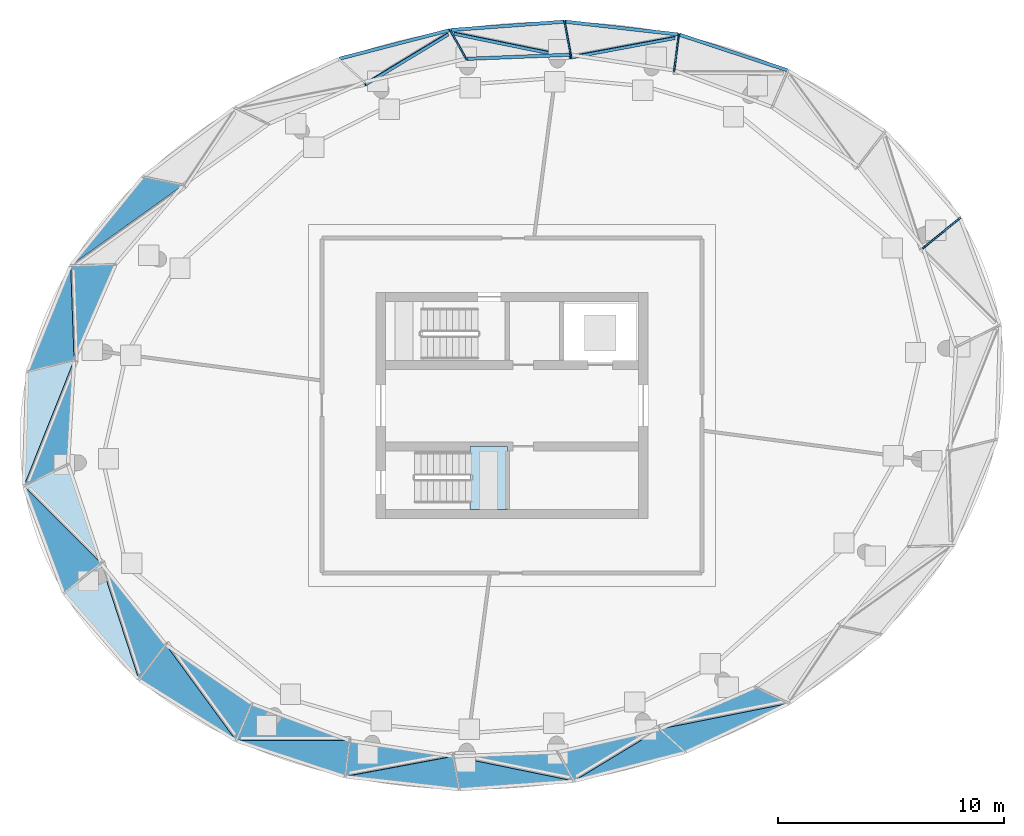
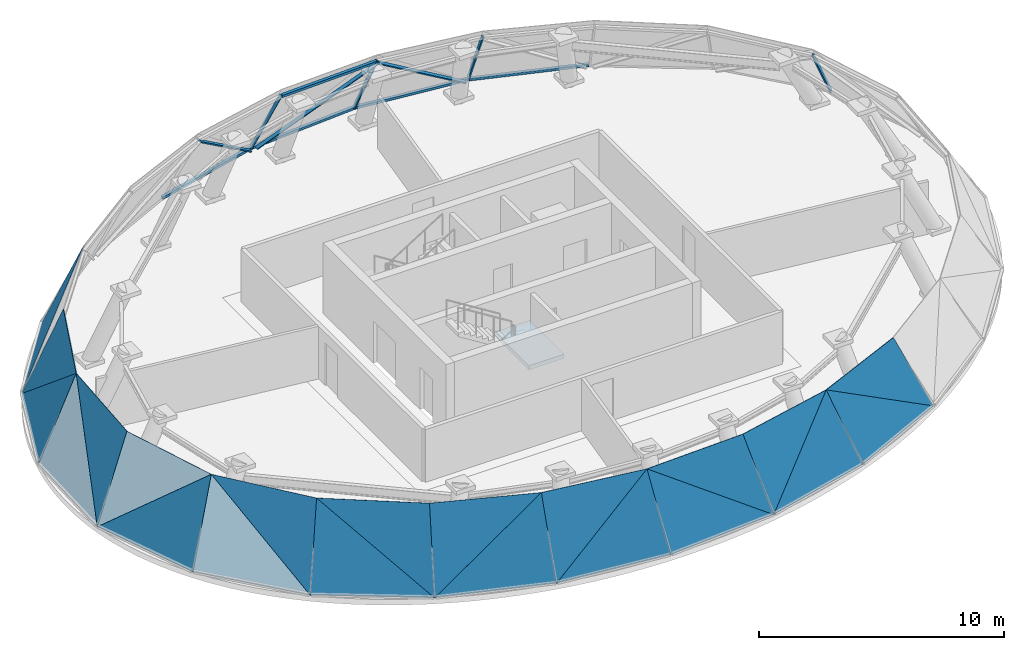
# One storey, part 4 of 9: 21 plates, 12 members, 1 slab, 30 elements without a shape of their own.
"""IFC4 building model written with IfcOpenShell, lengths in metres."""

import ifcopenshell
import ifcopenshell.guid

model = None  # the IFC model being written
_history = None  # IfcOwnerHistory: only IFC2X3 demands one
_inside = {}  # id of a spatial element -> (the spatial element, [elements in it])
_under = {}  # id of a project, library or spatial element -> (it, [spatial elements below it])
_declared = {}  # id of a project -> (the project, [libraries it declares])
_typed = {}  # id of a type object -> (the type object, [elements of that type])
_made_of = {}  # id of a material, layer set ... -> (it, [elements and type objects made of it])


def new_model(schema):
    """Start an empty IFC model of exactly this schema.

    Asked for "IFC4X3", IfcOpenShell would pick the latest addendum, in which some entities
    have other attributes; the version numbers below select the first issue.
    IFC2X3 requires an IfcOwnerHistory on every rooted entity: one is made here for all.
    """
    global model, _history
    if schema == "IFC4X3":
        model = ifcopenshell.file(schema_version=(4, 3, 0, 0))
    else:
        model = ifcopenshell.file(schema=schema)
    _inside.clear()
    _under.clear()
    _declared.clear()
    _typed.clear()
    _made_of.clear()
    _history = None
    if model.schema == "IFC2X3":
        org = make("IfcOrganization", Name="unknown")
        user = make(
            "IfcPersonAndOrganization",
            ThePerson=make("IfcPerson", FamilyName="unknown"),
            TheOrganization=org,
        )
        app = make(
            "IfcApplication",
            ApplicationDeveloper=org,
            Version="unknown",
            ApplicationFullName="unknown",
            ApplicationIdentifier="unknown",
        )
        _history = make(
            "IfcOwnerHistory",
            OwningUser=user,
            OwningApplication=app,
            ChangeAction="ADDED",
            CreationDate=0,
        )
    return model


def make(cls, **values):
    """One entity of the class cls with the attributes given. An attribute that is None is left unset."""
    return model.create_entity(
        cls, **{name: value for name, value in values.items() if value is not None}
    )


def rooted(cls, **values):
    """An entity with a GlobalId (a new one), such as an element, a storey or a relation."""
    return make(cls, GlobalId=ifcopenshell.guid.new(), OwnerHistory=_history, **values)


def si_unit(unit_type, name, prefix=None):
    """IfcSIUnit, for example si_unit("LENGTHUNIT", "METRE", prefix="MILLI")."""
    return make("IfcSIUnit", UnitType=unit_type, Prefix=prefix, Name=name)


def assignment(units):
    """IfcUnitAssignment: the units of a project."""
    return None if units is None else make("IfcUnitAssignment", Units=units)


def point(xyz):
    """IfcCartesianPoint."""
    return None if xyz is None else make("IfcCartesianPoint", Coordinates=xyz)


def direction(xyz):
    """IfcDirection."""
    return None if xyz is None else make("IfcDirection", DirectionRatios=xyz)


def frame(location, z_axis=None, x_axis=None):
    """IfcAxis2Placement3D, a coordinate frame: its origin and axes. An axis left out is left unset."""
    return make(
        "IfcAxis2Placement3D",
        Location=point(location),
        Axis=direction(z_axis),
        RefDirection=direction(x_axis),
    )


def frame_2d(location, x_axis=None):
    """IfcAxis2Placement2D, a coordinate frame in the plane: its origin and x axis."""
    return make(
        "IfcAxis2Placement2D", Location=point(location), RefDirection=direction(x_axis)
    )


def origin():
    """The frame at (0, 0, 0) with its axes left unset."""
    return frame((0.0, 0.0, 0.0))


def origin_2d():
    """The frame at (0, 0) in the plane with its x axis left unset."""
    return frame_2d((0.0, 0.0))


def place(relative_to, where):
    """IfcLocalPlacement: puts the frame where relative to a parent placement (None: the world)."""
    return make(
        "IfcLocalPlacement", PlacementRelTo=relative_to, RelativePlacement=where
    )


def context(
    kind, dimensions, precision=None, world=None, true_north=None, identifier=None
):
    """IfcGeometricRepresentationContext, for example the 3D "Model" context."""
    return make(
        "IfcGeometricRepresentationContext",
        ContextIdentifier=identifier,
        ContextType=kind,
        CoordinateSpaceDimension=dimensions,
        Precision=precision,
        WorldCoordinateSystem=world,
        TrueNorth=true_north,
    )


def subcontext(parent, identifier, kind, view, scale=None):
    """IfcGeometricRepresentationSubContext, for example "Body" below "Model"."""
    return make(
        "IfcGeometricRepresentationSubContext",
        ContextIdentifier=identifier,
        ContextType=kind,
        ParentContext=parent,
        TargetScale=scale,
        TargetView=view,
    )


def project(units=None, contexts=None):
    """IfcProject with its units and contexts."""
    return rooted(
        "IfcProject",
        Name="project",
        RepresentationContexts=contexts,
        UnitsInContext=assignment(units),
    )


def spatial(cls, under=None, at=None, **own):
    """A site, building, storey or space (cls), placed at a placement, below another one or the project."""
    s = rooted(cls, ObjectPlacement=at, **own)
    if under is not None:
        _under.setdefault(under.id(), (under, []))[1].append(s)
    return s


def point_list(points):
    """IfcCartesianPointList2D or 3D."""
    cls = (
        "IfcCartesianPointList2D" if len(points[0]) == 2 else "IfcCartesianPointList3D"
    )
    return make(cls, CoordList=points)


def line(*indices):
    """IfcLineIndex: a straight run through numbered points of an indexed curve."""
    return model.create_entity("IfcLineIndex", indices)


def indexed_curve(points, segments=None, self_intersect=None):
    """IfcIndexedPolyCurve: lines and arcs through numbered points (the first is 1)."""
    return make(
        "IfcIndexedPolyCurve",
        Points=point_list(points),
        Segments=segments,
        SelfIntersect=self_intersect,
    )


def profile(cls, at=None, kind="AREA", **sizes):
    """A parametric profile (cls). Its sizes go by their IFC names, for example OverallWidth=200.0."""
    return make(cls, ProfileType=kind, Position=at, **sizes)


def rectangle(**sizes):
    """IfcRectangleProfileDef."""
    return profile("IfcRectangleProfileDef", **sizes)


def outline(outer, holes=None, kind="AREA"):
    """IfcArbitraryClosedProfileDef: a profile drawn as a closed curve; with holes, ...WithVoids."""
    if holes is None:
        return make("IfcArbitraryClosedProfileDef", ProfileType=kind, OuterCurve=outer)
    return make(
        "IfcArbitraryProfileDefWithVoids",
        ProfileType=kind,
        OuterCurve=outer,
        InnerCurves=holes,
    )


def extrude(swept, where, along, depth):
    """IfcExtrudedAreaSolid: the profile swept, set in the frame where, extruded along a direction by depth."""
    return make(
        "IfcExtrudedAreaSolid",
        SweptArea=swept,
        Position=where,
        ExtrudedDirection=direction(along),
        Depth=depth,
    )


def shape(context_of_items, identifier, shape_type, items):
    """IfcShapeRepresentation: the items that make up one representation, for example the "Body"."""
    return make(
        "IfcShapeRepresentation",
        ContextOfItems=context_of_items,
        RepresentationIdentifier=identifier,
        RepresentationType=shape_type,
        Items=items,
    )


def source(mapping_origin, context_of_items, identifier, shape_type, items):
    """IfcRepresentationMap: a shape defined once, which mapped items show again and again."""
    return make(
        "IfcRepresentationMap",
        MappingOrigin=mapping_origin,
        MappedRepresentation=shape(context_of_items, identifier, shape_type, items),
    )


def transform(
    local_origin,
    x_axis=None,
    y_axis=None,
    z_axis=None,
    scale=None,
    scale2=None,
    scale3=None,
    uniform=True,
):
    """IfcCartesianTransformationOperator3D, or its non-uniform kind. x_axis, y_axis, z_axis: its Axis1, 2, 3."""
    if uniform:
        return make(
            "IfcCartesianTransformationOperator3D",
            Axis1=direction(x_axis),
            Axis2=direction(y_axis),
            LocalOrigin=point(local_origin),
            Scale=scale,
            Axis3=direction(z_axis),
        )
    return make(
        "IfcCartesianTransformationOperator3DnonUniform",
        Axis1=direction(x_axis),
        Axis2=direction(y_axis),
        LocalOrigin=point(local_origin),
        Scale=scale,
        Axis3=direction(z_axis),
        Scale2=scale2,
        Scale3=scale3,
    )


def mapped(mapping_source, mapping_target):
    """IfcMappedItem: shows the shape of a source again, moved by a transform."""
    return make(
        "IfcMappedItem", MappingSource=mapping_source, MappingTarget=mapping_target
    )


def material(Name=None, Category=None):
    """IfcMaterial."""
    return make("IfcMaterial", Name=Name, Category=Category)


def layer(
    of_material, thickness, ventilated=None, Name=None, Category=None, Priority=None
):
    """IfcMaterialLayer: one layer of a wall or slab, of a material (None: an air gap)."""
    return make(
        "IfcMaterialLayer",
        Material=of_material,
        LayerThickness=thickness,
        IsVentilated=ventilated,
        Name=Name,
        Category=Category,
        Priority=Priority,
    )


def layer_set(layers, Name=None):
    """IfcMaterialLayerSet."""
    return make("IfcMaterialLayerSet", MaterialLayers=layers, LayerSetName=Name)


def material_profile(
    of_material, cross_section, Name=None, Category=None, Priority=None
):
    """IfcMaterialProfile: a cross section and its material."""
    return make(
        "IfcMaterialProfile",
        Name=Name,
        Material=of_material,
        Profile=cross_section,
        Priority=Priority,
        Category=Category,
    )


def profile_set(profiles, Name=None, composite=None):
    """IfcMaterialProfileSet."""
    return make(
        "IfcMaterialProfileSet",
        Name=Name,
        MaterialProfiles=profiles,
        CompositeProfile=composite,
    )


def made_of(thing, what):
    """Note that an element or type object is made of a material, layer set ...; save() writes the relation."""
    if what is not None:
        _made_of.setdefault(what.id(), (what, []))[1].append(thing)
    return thing


def type_object(cls, material=None, **own):
    """A type object (cls), such as IfcWallType, which elements share."""
    return made_of(rooted(cls, **own), material)


def element(
    cls,
    number,
    at=None,
    inside=None,
    cuts=None,
    type_object=None,
    material=None,
    context=None,
    identifier="Body",
    shape_type=None,
    held_by="IfcProductDefinitionShape",
    body=None,
    shapes=None,
    **own,
):
    """One element of the class cls, such as IfcWall. Its Tag is "e" and its number.

    at: its placement. inside: the storey or other place that contains it. cuts: it is an
    opening in that element (IfcRelVoidsElement). A single representation is given by context,
    identifier, shape_type and body (its items); several are given by shapes. held_by: the class
    of the entity that holds the representations. save() writes the other relations.
    """
    e = rooted(cls, Tag="e%d" % number, ObjectPlacement=at, **own)
    if body is not None:
        shapes = [shape(context, identifier, shape_type, body)]
    if shapes is not None:
        e.Representation = make(held_by, Representations=shapes)
    if inside is not None:
        _inside.setdefault(inside.id(), (inside, []))[1].append(e)
    if cuts is not None:
        rooted(
            "IfcRelVoidsElement", RelatingBuildingElement=cuts, RelatedOpeningElement=e
        )
    if type_object is not None:
        _typed.setdefault(type_object.id(), (type_object, []))[1].append(e)
    return made_of(e, material)


def aggregate(whole, parts):
    """IfcRelAggregates: a whole, such as a stair, and the parts it consists of."""
    return rooted("IfcRelAggregates", RelatingObject=whole, RelatedObjects=parts)


def save(model, path):
    """Write the relations noted so far, then the file.

    IfcRelAggregates (storeys below a building ...), IfcRelContainedInSpatialStructure (elements
    in a storey), IfcRelDefinesByType, IfcRelAssociatesMaterial and IfcRelDeclares: one each for
    every whole, place, type object, material and project.
    """
    for whole, parts in _under.values():
        aggregate(whole, parts)
    for where, things in _inside.values():
        rooted(
            "IfcRelContainedInSpatialStructure",
            RelatedElements=things,
            RelatingStructure=where,
        )
    for kind, things in _typed.values():
        rooted("IfcRelDefinesByType", RelatedObjects=things, RelatingType=kind)
    for what, things in _made_of.values():
        rooted("IfcRelAssociatesMaterial", RelatedObjects=things, RelatingMaterial=what)
    for by, libraries in _declared.values():
        rooted("IfcRelDeclares", RelatingContext=by, RelatedDefinitions=libraries)
    model.write(path)


model = new_model("IFC4")

# Units and contexts
model_context = context("Model", 3, precision=1e-05, world=origin(), true_north=direction((0.0, 1.0)))
body_context = subcontext(model_context, "Body", "Model", "MODEL_VIEW")
ifc_project = project(units=[si_unit("LENGTHUNIT", "METRE"), si_unit("AREAUNIT", "SQUARE_METRE"), si_unit("VOLUMEUNIT", "CUBIC_METRE"), si_unit("PLANEANGLEUNIT", "RADIAN"), si_unit("MASSUNIT", "GRAM", prefix="KILO")], contexts=[model_context])

# Site, building, storey
site_placement = place(None, origin())
site = spatial("IfcSite", under=ifc_project, at=site_placement, CompositionType="ELEMENT")
building_placement = place(site_placement, origin())
building = spatial("IfcBuilding", under=site, at=building_placement, Name="Spindrift Exchange Tower", CompositionType="ELEMENT")
storey_placement = place(building_placement, frame((0.0, 0.0, 269.60009765625)))
storey = spatial("IfcBuildingStorey", under=building, at=storey_placement, Name="L66", CompositionType="ELEMENT", Elevation=269.60009765625)

# Curtain wall, member
ifc_material_1 = material(Name="Fritted laminated glass with bronze frame", Category="glass")
ifc_layer_1 = layer(ifc_material_1, 0.14990234375)
ifc_layer_set_1 = layer_set([ifc_layer_1], Name="CROWN BRONZE RAKED GLAZED WALL")
curtain_wall_type = type_object("IfcCurtainWallType", Name="CROWN BRONZE RAKED GLAZED WALL", PredefinedType="NOTDEFINED", material=ifc_layer_set_1)
curtain_wall_1_placement = place(storey_placement, origin())
curtain_wall_1 = element("IfcCurtainWall", 1, at=curtain_wall_1_placement, inside=storey, type_object=curtain_wall_type, Name="L66 Crown Bronze Raked Glazed Wall facet 3", PredefinedType="NOTDEFINED")
ifc_material_2 = material(Name="Bronze anodised aluminium", Category="aluminium")
ifc_material_profile_1 = material_profile(ifc_material_2, rectangle(XDim=0.070068359375, YDim=0.14990234375, at=origin_2d()), Name="CROWN BRONZE RAKED GLAZED WALL MULLION 70X150")
ifc_profile_set_1 = profile_set([ifc_material_profile_1], Name="Bronze anodised aluminium")
member_type_1 = type_object("IfcMemberType", Name="CROWN BRONZE RAKED GLAZED WALL MULLION 70X150", PredefinedType="MULLION", material=ifc_profile_set_1)
shared_shape_1 = source(origin(), body_context, "Body", "SweptSolid", [
    extrude(rectangle(XDim=0.070068359375, YDim=0.14990234375, at=origin_2d()), origin(), (0.0, 0.0, 1.0), 3.750732421875),
])
member_1_placement = place(storey_placement, frame((71.781494140625, 56.27392578125, 0.041015625), z_axis=(-0.424974947125, -0.345825071845, 0.836541280511), x_axis=(0.631178333431, -0.77563774496, 0.0)))
member_1 = element("IfcMember", 2, at=member_1_placement, type_object=member_type_1, Name="L66 mullion CW-R.2", PredefinedType="MULLION", context=body_context, shape_type="MappedRepresentation", body=[
    mapped(shared_shape_1, transform((0.0, 0.0, 0.0), scale=1.0)),
])
aggregate(curtain_wall_1, [member_1])

curtain_wall_2_placement = place(storey_placement, origin())
curtain_wall_2 = element("IfcCurtainWall", 3, at=curtain_wall_2_placement, inside=storey, type_object=curtain_wall_type, Name="L66 Crown Bronze Raked Glazed Wall facet 7", PredefinedType="NOTDEFINED")
ifc_material_profile_2 = material_profile(ifc_material_2, rectangle(XDim=0.14990234375, YDim=0.1201171875, at=origin_2d()), Name="CROWN BRONZE RAKED GLAZED WALL TRANSOM 150X120")
ifc_profile_set_2 = profile_set([ifc_material_profile_2], Name="Bronze anodised aluminium")
member_type_2 = type_object("IfcMemberType", Name="CROWN BRONZE RAKED GLAZED WALL TRANSOM 150X120", PredefinedType="USERDEFINED", material=ifc_profile_set_2)
shared_shape_2 = source(origin(), body_context, "Body", "SweptSolid", [
    extrude(rectangle(XDim=0.14990234375, YDim=0.1201171875, at=origin_2d()), origin(), (0.0, 0.0, 1.0), 5.003662109375),
])
member_2_placement = place(storey_placement, frame((64.157470703125, 62.8173828125, 0.059814453125), z_axis=(-0.949814055386, 0.312815057489, 0.0), x_axis=(-0.312815057489, -0.949814055386, 0.0)))
member_2 = element("IfcMember", 4, at=member_2_placement, type_object=member_type_2, Name="L66 transom CW-R.4a", ObjectType="TRANSOM", PredefinedType="USERDEFINED", context=body_context, shape_type="MappedRepresentation", body=[
    mapped(shared_shape_2, transform((0.0, 0.0, 0.0), scale=1.0)),
])
aggregate(curtain_wall_2, [member_2])

curtain_wall_3_placement = place(storey_placement, origin())
curtain_wall_3 = element("IfcCurtainWall", 5, at=curtain_wall_3_placement, inside=storey, type_object=curtain_wall_type, Name="L66 Crown Bronze Raked Glazed Wall facet 9", PredefinedType="NOTDEFINED")
shared_shape_3 = source(origin(), body_context, "Body", "SweptSolid", [
    extrude(rectangle(XDim=0.14990234375, YDim=0.1201171875, at=origin_2d()), origin(), (0.0, 0.0, 1.0), 5.006103515625),
])
member_3_placement = place(storey_placement, frame((59.3369140625, 64.3974609375, 0.059814453125), z_axis=(-0.993672597982, 0.112315484327, 0.0), x_axis=(-0.112315484327, -0.993672597982, 0.0)))
member_3 = element("IfcMember", 6, at=member_3_placement, type_object=member_type_2, Name="L66 transom CW-R.5a", ObjectType="TRANSOM", PredefinedType="USERDEFINED", context=body_context, shape_type="MappedRepresentation", body=[
    mapped(shared_shape_3, transform((0.0, 0.0, 0.0), scale=1.0)),
])

curtain_wall_4_placement = place(storey_placement, origin())
curtain_wall_4 = element("IfcCurtainWall", 7, at=curtain_wall_4_placement, inside=storey, type_object=curtain_wall_type, Name="L66 Crown Bronze Raked Glazed Wall facet 10", PredefinedType="NOTDEFINED")
shared_shape_4 = source(origin(), body_context, "Body", "SweptSolid", [
    extrude(rectangle(XDim=0.070068359375, YDim=0.14990234375, at=origin_2d()), origin(), (0.0, 0.0, 1.0), 3.52001953125),
])
member_4_placement = place(storey_placement, frame((59.36962890625, 64.377197265625, 0.033203125), z_axis=(-0.056803842257, -0.440767298588, 0.895822254691), x_axis=(0.991797662481, -0.127817826211, 0.0)))
member_4 = element("IfcMember", 8, at=member_4_placement, type_object=member_type_1, Name="L66 mullion CW-R.5", PredefinedType="MULLION", context=body_context, shape_type="MappedRepresentation", body=[
    mapped(shared_shape_4, transform((0.0, 0.0, 0.0), scale=1.0)),
])
aggregate(curtain_wall_4, [member_4])

# Member
shared_shape_5 = source(origin(), body_context, "Body", "SweptSolid", [
    extrude(rectangle(XDim=0.070068359375, YDim=0.14990234375, at=origin_2d()), origin(), (0.0, 0.0, 1.0), 5.6015625),
])
member_5_placement = place(storey_placement, frame((59.189208984375, 64.24658203125, 0.0625), z_axis=(-0.819316173718, -0.153071518358, 0.552530648698), x_axis=(0.563714929591, -0.390928765615, 0.727598913118)))
member_5 = element("IfcMember", 9, at=member_5_placement, type_object=member_type_1, Name="L66 glazing bar CW-R.5", PredefinedType="MULLION", context=body_context, shape_type="MappedRepresentation", body=[
    mapped(shared_shape_5, transform((0.0, 0.0, 0.0), scale=1.0)),
])

aggregate(curtain_wall_3, [member_3, member_5])

# Curtain wall, member
curtain_wall_5_placement = place(storey_placement, origin())
curtain_wall_5 = element("IfcCurtainWall", 10, at=curtain_wall_5_placement, inside=storey, type_object=curtain_wall_type, Name="L66 Crown Bronze Raked Glazed Wall facet 11", PredefinedType="NOTDEFINED")
shared_shape_6 = source(origin(), body_context, "Body", "SweptSolid", [
    extrude(rectangle(XDim=0.14990234375, YDim=0.1201171875, at=origin_2d()), origin(), (0.0, 0.0, 1.0), 5.007080078125),
])
member_6_placement = place(storey_placement, frame((49.299072265625, 64.593505859375, 0.059814453125), z_axis=(0.997300383789, 0.073429861053, 0.0), x_axis=(-0.073429861053, 0.997300383789, 0.0)))
member_6 = element("IfcMember", 11, at=member_6_placement, type_object=member_type_2, Name="L66 transom CW-R.6a", ObjectType="TRANSOM", PredefinedType="USERDEFINED", context=body_context, shape_type="MappedRepresentation", body=[
    mapped(shared_shape_6, transform((0.0, 0.0, 0.0), scale=1.0)),
])

curtain_wall_6_placement = place(storey_placement, origin())
curtain_wall_6 = element("IfcCurtainWall", 12, at=curtain_wall_6_placement, inside=storey, type_object=curtain_wall_type, Name="L66 Crown Bronze Raked Glazed Wall facet 13", PredefinedType="NOTDEFINED")
member_7_placement = place(storey_placement, frame((49.230224609375, 64.582275390625, 0.059814453125), z_axis=(-0.968071874412, -0.25067278666, 0.0), x_axis=(0.25067278666, -0.968071874412, 0.0)))
member_7 = element("IfcMember", 13, at=member_7_placement, type_object=member_type_2, Name="L66 transom CW-R.7a", ObjectType="TRANSOM", PredefinedType="USERDEFINED", context=body_context, shape_type="MappedRepresentation", body=[
    mapped(shared_shape_6, transform((0.0, 0.0, 0.0), scale=1.0)),
])

curtain_wall_7_placement = place(storey_placement, origin())
curtain_wall_7 = element("IfcCurtainWall", 14, at=curtain_wall_7_placement, inside=storey, type_object=curtain_wall_type, Name="L66 Crown Bronze Raked Glazed Wall facet 12", PredefinedType="NOTDEFINED")
shared_shape_7 = source(origin(), body_context, "Body", "SweptSolid", [
    extrude(rectangle(XDim=0.14990234375, YDim=0.1201171875, at=origin_2d()), origin(), (0.0, 0.0, 1.0), 4.553955078125),
])
member_8_placement = place(storey_placement, frame((50.01171875, 63.3203125, 3.159912109375), z_axis=(0.999221211639, 0.03945846184, 0.0), x_axis=(-0.03945846184, 0.999221211639, 0.0)))
member_8 = element("IfcMember", 15, at=member_8_placement, type_object=member_type_2, Name="L66 transom CW-R.6b", ObjectType="TRANSOM", PredefinedType="USERDEFINED", context=body_context, shape_type="MappedRepresentation", body=[
    mapped(shared_shape_7, transform((0.0, 0.0, 0.0), scale=1.0)),
])

# Member
shared_shape_8 = source(origin(), body_context, "Body", "SweptSolid", [
    extrude(rectangle(XDim=0.070068359375, YDim=0.14990234375, at=origin_2d()), origin(), (0.0, 0.0, 1.0), 3.4775390625),
])
member_9_placement = place(storey_placement, frame((54.330322265625, 64.949462890625, 0.03125), z_axis=(0.075890522874, -0.412308085885, 0.907878114535), x_axis=(0.983479087928, 0.181021776613, 0.0)))
member_9 = element("IfcMember", 16, at=member_9_placement, type_object=member_type_1, Name="L66 mullion CW-R.6", PredefinedType="MULLION", context=body_context, shape_type="MappedRepresentation", body=[
    mapped(shared_shape_8, transform((0.0, 0.0, 0.0), scale=1.0)),
])

aggregate(curtain_wall_5, [member_6, member_9])

shared_shape_9 = source(origin(), body_context, "Body", "SweptSolid", [
    extrude(rectangle(XDim=0.070068359375, YDim=0.14990234375, at=origin_2d()), origin(), (0.0, 0.0, 1.0), 6.070556640625),
])
member_10_placement = place(storey_placement, frame((49.455322265625, 64.435546875, 0.064453125), z_axis=(0.843233159956, -0.172290306541, 0.509189442371), x_axis=(0.536162055062, 0.337545685456, -0.77368802559)))
member_10 = element("IfcMember", 17, at=member_10_placement, type_object=member_type_1, Name="L66 glazing bar CW-R.6", PredefinedType="MULLION", context=body_context, shape_type="MappedRepresentation", body=[
    mapped(shared_shape_9, transform((0.0, 0.0, 0.0), scale=1.0)),
])

aggregate(curtain_wall_7, [member_8, member_10])

# Curtain wall, member
curtain_wall_8_placement = place(storey_placement, origin())
curtain_wall_8 = element("IfcCurtainWall", 18, at=curtain_wall_8_placement, inside=storey, type_object=curtain_wall_type, Name="L66 Crown Bronze Raked Glazed Wall facet 14", PredefinedType="NOTDEFINED")
shared_shape_10 = source(origin(), body_context, "Body", "SweptSolid", [
    extrude(rectangle(XDim=0.070068359375, YDim=0.14990234375, at=origin_2d()), origin(), (0.0, 0.0, 1.0), 3.466796875),
])
member_11_placement = place(storey_placement, frame((49.27099609375, 64.578857421875, 0.03076171875), z_axis=(0.20161523641, -0.359851155451, 0.910965664758), x_axis=(0.872404102717, 0.488785312344, 0.0)))
member_11 = element("IfcMember", 19, at=member_11_placement, type_object=member_type_1, Name="L66 mullion CW-R.7", PredefinedType="MULLION", context=body_context, shape_type="MappedRepresentation", body=[
    mapped(shared_shape_10, transform((0.0, 0.0, 0.0), scale=1.0)),
])
aggregate(curtain_wall_8, [member_11])

# Member
shared_shape_11 = source(origin(), body_context, "Body", "SweptSolid", [
    extrude(rectangle(XDim=0.070068359375, YDim=0.14990234375, at=origin_2d()), origin(), (0.0, 0.0, 1.0), 5.275146484375),
])
member_12_placement = place(storey_placement, frame((49.167236328125, 64.400146484375, 0.060546875), z_axis=(-0.692557848838, -0.418709627001, 0.587406055697), x_axis=(0.682607841194, -0.117081213491, 0.721344941472)))
member_12 = element("IfcMember", 20, at=member_12_placement, type_object=member_type_1, Name="L66 glazing bar CW-R.7", PredefinedType="MULLION", context=body_context, shape_type="MappedRepresentation", body=[
    mapped(shared_shape_11, transform((0.0, 0.0, 0.0), scale=1.0)),
])

aggregate(curtain_wall_6, [member_7, member_12])

# Curtain wall, plate
curtain_wall_9_placement = place(storey_placement, origin())
curtain_wall_9 = element("IfcCurtainWall", 21, at=curtain_wall_9_placement, inside=storey, type_object=curtain_wall_type, Name="L66 Crown Bronze Raked Glazed Wall facet 33", PredefinedType="NOTDEFINED")
ifc_material_3 = material(Name="Bronze fritted laminated glass, close frit", Category="glass")
ifc_layer_2 = layer(ifc_material_3, 0.030029296875)
ifc_layer_set_2 = layer_set([ifc_layer_2], Name="CROWN BRONZE RAKED GLAZED WALL PANEL CLOSE FRIT 300")
plate_type_1 = type_object("IfcPlateType", Name="CROWN BRONZE RAKED GLAZED WALL PANEL CLOSE FRIT 300", PredefinedType="CURTAIN_PANEL", material=ifc_layer_set_2)
plate_1_placement = place(storey_placement, frame((44.62841796875, 31.6064453125, 0.01123046875), z_axis=(-0.10399140726, -0.920112408565, 0.377596269607), x_axis=(0.993673745257, -0.112305333745, 0.0)))
plate_1 = element("IfcPlate", 22, at=plate_1_placement, type_object=plate_type_1, Name="L66 panel CW-R.17a", PredefinedType="CURTAIN_PANEL", context=body_context, shape_type="SweptSolid", body=[
    extrude(outline(indexed_curve([(0.0, 0.0), (5.076171875, 0.0), (4.64453125, 3.767578125)], segments=[line(1, 2, 3, 1)], self_intersect=False)), origin(), (0.0, 0.0, -1.0), 0.030029296875),
])
aggregate(curtain_wall_9, [plate_1])

curtain_wall_10_placement = place(storey_placement, origin())
curtain_wall_10 = element("IfcCurtainWall", 23, at=curtain_wall_10_placement, inside=storey, type_object=curtain_wall_type, Name="L66 Crown Bronze Raked Glazed Wall facet 34", PredefinedType="NOTDEFINED")
plate_2_placement = place(storey_placement, frame((44.62841796875, 31.6064453125, 0.012451171875), z_axis=(-0.136177705912, -0.898936118609, 0.416376616865), x_axis=(0.798484918493, 0.149187702213, 0.583236542449)))
plate_2 = element("IfcPlate", 24, at=plate_2_placement, type_object=plate_type_1, Name="L66 panel CW-R.17b", PredefinedType="CURTAIN_PANEL", context=body_context, shape_type="SweptSolid", body=[
    extrude(outline(indexed_curve([(0.0, 0.0), (5.9794921875, 0.0), (2.43359375, 2.9658203125)], segments=[line(1, 2, 3, 1)], self_intersect=False)), origin(), (0.0, 0.0, -1.0), 0.030029296875),
])
aggregate(curtain_wall_10, [plate_2])

curtain_wall_11_placement = place(storey_placement, origin())
curtain_wall_11 = element("IfcCurtainWall", 25, at=curtain_wall_11_placement, inside=storey, type_object=curtain_wall_type, Name="L66 Crown Bronze Raked Glazed Wall facet 39", PredefinedType="NOTDEFINED")
plate_3_placement = place(storey_placement, frame((64.24462890625, 34.841064453125, 0.010986328125), z_axis=(0.394768024431, -0.839791424273, 0.372704401106), x_axis=(-0.904996296817, -0.425419443311, 0.0)))
plate_3 = element("IfcPlate", 26, at=plate_3_placement, type_object=plate_type_1, Name="L66 panel CW-R.20a", PredefinedType="CURTAIN_PANEL", context=body_context, shape_type="SweptSolid", body=[
    extrude(outline(indexed_curve([(0.0, 0.0), (5.076171875, 0.0), (5.6533203125, -3.759765625)], segments=[line(1, 2, 3, 1)], self_intersect=False)), origin(), (0.0, 0.0, -1.0), 0.030029296875),
])
aggregate(curtain_wall_11, [plate_3])

curtain_wall_12_placement = place(storey_placement, origin())
curtain_wall_12 = element("IfcCurtainWall", 27, at=curtain_wall_12_placement, inside=storey, type_object=curtain_wall_type, Name="L66 Crown Bronze Raked Glazed Wall facet 40", PredefinedType="NOTDEFINED")
plate_4_placement = place(storey_placement, frame((64.24462890625, 34.841064453125, 0.010009765625), z_axis=(0.3777787186, -0.862194540951, 0.337496390096), x_axis=(-0.841289493722, -0.167416501379, 0.514007492959)))
plate_4 = element("IfcPlate", 28, at=plate_4_placement, type_object=plate_type_1, Name="L66 panel CW-R.20b", PredefinedType="CURTAIN_PANEL", context=body_context, shape_type="SweptSolid", body=[
    extrude(outline(indexed_curve([(0.0, 0.0), (6.7900390625, 0.0), (2.9169921875, -2.5244140625)], segments=[line(1, 2, 3, 1)], self_intersect=False)), origin(), (0.0, 0.0, -1.0), 0.030029296875),
])
aggregate(curtain_wall_12, [plate_4])

curtain_wall_13_placement = place(storey_placement, origin())
curtain_wall_13 = element("IfcCurtainWall", 29, at=curtain_wall_13_placement, inside=storey, type_object=curtain_wall_type, Name="L66 Crown Bronze Raked Glazed Wall facet 21", PredefinedType="NOTDEFINED")
ifc_layer_3 = layer(ifc_material_3, 0.030029296875)
ifc_layer_set_3 = layer_set([ifc_layer_3], Name="CROWN BRONZE RAKED GLAZED WALL PANEL CLOSE FRIT 420")
plate_type_2 = type_object("IfcPlateType", Name="CROWN BRONZE RAKED GLAZED WALL PANEL CLOSE FRIT 420", PredefinedType="CURTAIN_PANEL", material=ifc_layer_set_3)
plate_5_placement = place(storey_placement, frame((32.49755859375, 54.179931640625, 0.01318359375), z_axis=(-0.830359530628, 0.339075012585, 0.442189083691), x_axis=(-0.378042981821, -0.925788044801, 0.0)))
plate_5 = element("IfcPlate", 30, at=plate_5_placement, type_object=plate_type_2, Name="L66 panel CW-R.11a", PredefinedType="CURTAIN_PANEL", context=body_context, shape_type="SweptSolid", body=[
    extrude(outline(indexed_curve([(0.0, 0.0), (5.0615234375, 0.0), (3.8076171875, 3.8876953125)], segments=[line(1, 2, 3, 1)], self_intersect=False)), origin(), (0.0, 0.0, -1.0), 0.030029296875),
])
aggregate(curtain_wall_13, [plate_5])

curtain_wall_14_placement = place(storey_placement, origin())
curtain_wall_14 = element("IfcCurtainWall", 31, at=curtain_wall_14_placement, inside=storey, type_object=curtain_wall_type, Name="L66 Crown Bronze Raked Glazed Wall facet 22", PredefinedType="NOTDEFINED")
plate_6_placement = place(storey_placement, frame((32.49755859375, 54.179931640625, 0.013671875), z_axis=(-0.81484425022, 0.353789189472, 0.459197187814), x_axis=(0.027906586738, -0.767296537614, 0.640684981705)))
plate_6 = element("IfcPlate", 32, at=plate_6_placement, type_object=plate_type_2, Name="L66 panel CW-R.11b", PredefinedType="CURTAIN_PANEL", context=body_context, shape_type="SweptSolid", body=[
    extrude(outline(indexed_curve([(0.0, 0.0), (5.44140625, 0.0), (2.248046875, 3.3251953125)], segments=[line(1, 2, 3, 1)], self_intersect=False)), origin(), (0.0, 0.0, -1.0), 0.030029296875),
])
aggregate(curtain_wall_14, [plate_6])

curtain_wall_15_placement = place(storey_placement, origin())
curtain_wall_15 = element("IfcCurtainWall", 33, at=curtain_wall_15_placement, inside=storey, type_object=curtain_wall_type, Name="L66 Crown Bronze Raked Glazed Wall facet 25", PredefinedType="NOTDEFINED")
plate_7_placement = place(storey_placement, frame((30.431884765625, 44.443603515625, 0.014892578125), z_axis=(-0.812887087602, -0.303182194845, 0.497287783421), x_axis=(0.349455059301, -0.936953126645, 0.0)))
plate_7 = element("IfcPlate", 34, at=plate_7_placement, type_object=plate_type_2, Name="L66 panel CW-R.13a", PredefinedType="CURTAIN_PANEL", context=body_context, shape_type="SweptSolid", body=[
    extrude(outline(indexed_curve([(0.0, 0.0), (5.052734375, 0.0), (4.376953125, 4.0166015625)], segments=[line(1, 2, 3, 1)], self_intersect=False)), origin(), (0.0, 0.0, -1.0), 0.030029296875),
])
aggregate(curtain_wall_15, [plate_7])

curtain_wall_16_placement = place(storey_placement, origin())
curtain_wall_16 = element("IfcCurtainWall", 35, at=curtain_wall_16_placement, inside=storey, type_object=curtain_wall_type, Name="L66 Crown Bronze Raked Glazed Wall facet 26", PredefinedType="NOTDEFINED")
plate_8_placement = place(storey_placement, frame((30.431884765625, 44.443603515625, 0.015625), z_axis=(-0.807084005685, -0.26796054978, 0.526129785822), x_axis=(0.572546447927, -0.572875214191, 0.586519014127)))
plate_8 = element("IfcPlate", 36, at=plate_8_placement, type_object=plate_type_2, Name="L66 panel CW-R.13b", PredefinedType="CURTAIN_PANEL", context=body_context, shape_type="SweptSolid", body=[
    extrude(outline(indexed_curve([(0.0, 0.0), (5.9404296875, 0.0), (2.607421875, 3.1748046875)], segments=[line(1, 2, 3, 1)], self_intersect=False)), origin(), (0.0, 0.0, -1.0), 0.030029296875),
])
aggregate(curtain_wall_16, [plate_8])

curtain_wall_17_placement = place(storey_placement, origin())
curtain_wall_17 = element("IfcCurtainWall", 37, at=curtain_wall_17_placement, inside=storey, type_object=curtain_wall_type, Name="L66 Crown Bronze Raked Glazed Wall facet 29", PredefinedType="NOTDEFINED")
plate_9_placement = place(storey_placement, frame((39.80908203125, 33.193603515625, 0.014404296875), z_axis=(-0.463876608936, -0.740048726254, 0.48697676993), x_axis=(-0.847304880898, 0.531106805461, 0.0)))
plate_9 = element("IfcPlate", 38, at=plate_9_placement, type_object=plate_type_2, Name="L66 panel CW-R.15a", PredefinedType="CURTAIN_PANEL", context=body_context, shape_type="SweptSolid", body=[
    extrude(outline(indexed_curve([(0.0, 0.0), (5.0693359375, 0.0), (4.8828125, -3.9912109375)], segments=[line(1, 2, 3, 1)], self_intersect=False)), origin(), (0.0, 0.0, -1.0), 0.030029296875),
])
aggregate(curtain_wall_17, [plate_9])

curtain_wall_18_placement = place(storey_placement, origin())
curtain_wall_18 = element("IfcCurtainWall", 39, at=curtain_wall_18_placement, inside=storey, type_object=curtain_wall_type, Name="L66 Crown Bronze Raked Glazed Wall facet 30", PredefinedType="NOTDEFINED")
plate_10_placement = place(storey_placement, frame((39.80908203125, 33.193603515625, 0.01318359375), z_axis=(-0.507972545001, -0.737706491594, 0.444694305996), x_axis=(-0.492302520335, 0.672275345453, 0.552887048472)))
plate_10 = element("IfcPlate", 40, at=plate_10_placement, type_object=plate_type_2, Name="L66 panel CW-R.15b", PredefinedType="CURTAIN_PANEL", context=body_context, shape_type="SweptSolid", body=[
    extrude(outline(indexed_curve([(0.0, 0.0), (6.306640625, 0.0), (2.6748046875, -2.849609375)], segments=[line(1, 2, 3, 1)], self_intersect=False)), origin(), (0.0, 0.0, -1.0), 0.030029296875),
])
aggregate(curtain_wall_18, [plate_10])

curtain_wall_19_placement = place(storey_placement, origin())
curtain_wall_19 = element("IfcCurtainWall", 41, at=curtain_wall_19_placement, inside=storey, type_object=curtain_wall_type, Name="L66 Crown Bronze Raked Glazed Wall facet 35", PredefinedType="NOTDEFINED")
plate_11_placement = place(storey_placement, frame((54.73583984375, 31.408935546875, 0.01171875), z_axis=(0.067564846493, -0.918279761642, 0.390124686321), x_axis=(-0.99730410742, -0.073379270392, 0.0)))
plate_11 = element("IfcPlate", 42, at=plate_11_placement, type_object=plate_type_2, Name="L66 panel CW-R.18a", PredefinedType="CURTAIN_PANEL", context=body_context, shape_type="SweptSolid", body=[
    extrude(outline(indexed_curve([(0.0, 0.0), (5.0771484375, 0.0), (5.23828125, -3.7880859375)], segments=[line(1, 2, 3, 1)], self_intersect=False)), origin(), (0.0, 0.0, -1.0), 0.030029296875),
])
aggregate(curtain_wall_19, [plate_11])

curtain_wall_20_placement = place(storey_placement, origin())
curtain_wall_20 = element("IfcCurtainWall", 43, at=curtain_wall_20_placement, inside=storey, type_object=curtain_wall_type, Name="L66 Crown Bronze Raked Glazed Wall facet 36", PredefinedType="NOTDEFINED")
plate_12_placement = place(storey_placement, frame((54.73583984375, 31.408935546875, 0.01025390625), z_axis=(0.036964796521, -0.936441511862, 0.348870891132), x_axis=(-0.824790814575, 0.168522703175, 0.539740873668)))
plate_12 = element("IfcPlate", 44, at=plate_12_placement, type_object=plate_type_2, Name="L66 panel CW-R.18b", PredefinedType="CURTAIN_PANEL", context=body_context, shape_type="SweptSolid", body=[
    extrude(outline(indexed_curve([(0.0, 0.0), (6.4658203125, 0.0), (2.685546875, -2.6630859375)], segments=[line(1, 2, 3, 1)], self_intersect=False)), origin(), (0.0, 0.0, -1.0), 0.030029296875),
])
aggregate(curtain_wall_20, [plate_12])

curtain_wall_21_placement = place(storey_placement, origin())
curtain_wall_21 = element("IfcCurtainWall", 45, at=curtain_wall_21_placement, inside=storey, type_object=curtain_wall_type, Name="L66 Crown Bronze Raked Glazed Wall facet 37", PredefinedType="NOTDEFINED")
plate_13_placement = place(storey_placement, frame((54.73583984375, 31.408935546875, 0.010009765625), z_axis=(0.235552634328, -0.90967689129, 0.34205688111), x_axis=(0.968071703967, 0.250673444903, 0.0)))
plate_13 = element("IfcPlate", 46, at=plate_13_placement, type_object=plate_type_2, Name="L66 panel CW-R.19a", PredefinedType="CURTAIN_PANEL", context=body_context, shape_type="SweptSolid", body=[
    extrude(outline(indexed_curve([(0.0, 0.0), (5.0771484375, 0.0), (4.2509765625, 3.7138671875)], segments=[line(1, 2, 3, 1)], self_intersect=False)), origin(), (0.0, 0.0, -1.0), 0.030029296875),
])
aggregate(curtain_wall_21, [plate_13])

curtain_wall_22_placement = place(storey_placement, origin())
curtain_wall_22 = element("IfcCurtainWall", 47, at=curtain_wall_22_placement, inside=storey, type_object=curtain_wall_type, Name="L66 Crown Bronze Raked Glazed Wall facet 38", PredefinedType="NOTDEFINED")
plate_14_placement = place(storey_placement, frame((54.73583984375, 31.408935546875, 0.010986328125), z_axis=(0.205451173707, -0.905220223846, 0.371976022832), x_axis=(0.672665476626, 0.406687724985, 0.618163611759)))
plate_14 = element("IfcPlate", 48, at=plate_14_placement, type_object=plate_type_2, Name="L66 panel CW-R.19b", PredefinedType="CURTAIN_PANEL", context=body_context, shape_type="SweptSolid", body=[
    extrude(outline(indexed_curve([(0.0, 0.0), (5.64453125, 0.0), (2.1943359375, 3.0791015625)], segments=[line(1, 2, 3, 1)], self_intersect=False)), origin(), (0.0, 0.0, -1.0), 0.030029296875),
])
aggregate(curtain_wall_22, [plate_14])

curtain_wall_23_placement = place(storey_placement, origin())
curtain_wall_23 = element("IfcCurtainWall", 49, at=curtain_wall_23_placement, inside=storey, type_object=curtain_wall_type, Name="L66 Crown Bronze Raked Glazed Wall facet 19", PredefinedType="NOTDEFINED")
ifc_layer_4 = layer(ifc_material_3, 0.030029296875)
ifc_layer_set_4 = layer_set([ifc_layer_4], Name="CROWN BRONZE RAKED GLAZED WALL PANEL CLOSE FRIT 540")
plate_type_3 = type_object("IfcPlateType", Name="CROWN BRONZE RAKED GLAZED WALL PANEL CLOSE FRIT 540", PredefinedType="CURTAIN_PANEL", material=ifc_layer_set_4)
plate_15_placement = place(storey_placement, frame((32.49755859375, 54.179931640625, 0.012451171875), z_axis=(-0.704101287276, 0.574062197928, 0.417964077602), x_axis=(0.631904488729, 0.775046267731, 0.0)))
plate_15 = element("IfcPlate", 50, at=plate_15_placement, type_object=plate_type_3, Name="L66 panel CW-R.10a", PredefinedType="CURTAIN_PANEL", context=body_context, shape_type="SweptSolid", body=[
    extrude(outline(indexed_curve([(0.0, 0.0), (5.0693359375, 0.0), (5.9130859375, -3.8388671875)], segments=[line(1, 2, 3, 1)], self_intersect=False)), origin(), (0.0, 0.0, -1.0), 0.030029296875),
])
aggregate(curtain_wall_23, [plate_15])

curtain_wall_24_placement = place(storey_placement, origin())
curtain_wall_24 = element("IfcCurtainWall", 51, at=curtain_wall_24_placement, inside=storey, type_object=curtain_wall_type, Name="L66 Crown Bronze Raked Glazed Wall facet 23", PredefinedType="NOTDEFINED")
plate_16_placement = place(storey_placement, frame((30.431884765625, 44.443603515625, 0.01513671875), z_axis=(-0.861656519076, 0.025989639787, 0.50682598765), x_axis=(0.030148701901, 0.999545424567, 0.0)))
plate_16 = element("IfcPlate", 52, at=plate_16_placement, type_object=plate_type_3, Name="L66 panel CW-R.12a", PredefinedType="CURTAIN_PANEL", context=body_context, shape_type="SweptSolid", body=[
    extrude(outline(indexed_curve([(0.0, 0.0), (5.052734375, 0.0), (5.625, -4.04296875)], segments=[line(1, 2, 3, 1)], self_intersect=False)), origin(), (0.0, 0.0, -1.0), 0.030029296875),
])
aggregate(curtain_wall_24, [plate_16])

curtain_wall_25_placement = place(storey_placement, origin())
curtain_wall_25 = element("IfcCurtainWall", 53, at=curtain_wall_25_placement, inside=storey, type_object=curtain_wall_type, Name="L66 Crown Bronze Raked Glazed Wall facet 24", PredefinedType="NOTDEFINED")
plate_17_placement = place(storey_placement, frame((30.431884765625, 44.443603515625, 0.01416015625), z_axis=(-0.877438058045, 0.050901102815, 0.476981689404), x_axis=(0.320094032376, 0.802719571668, 0.503171044177)))
plate_17 = element("IfcPlate", 54, at=plate_17_placement, type_object=plate_type_3, Name="L66 panel CW-R.12b", PredefinedType="CURTAIN_PANEL", context=body_context, shape_type="SweptSolid", body=[
    extrude(outline(indexed_curve([(0.0, 0.0), (6.927734375, 0.0), (3.1533203125, -2.6357421875)], segments=[line(1, 2, 3, 1)], self_intersect=False)), origin(), (0.0, 0.0, -1.0), 0.030029296875),
])
aggregate(curtain_wall_25, [plate_17])

curtain_wall_26_placement = place(storey_placement, origin())
curtain_wall_26 = element("IfcCurtainWall", 55, at=curtain_wall_26_placement, inside=storey, type_object=curtain_wall_type, Name="L66 Crown Bronze Raked Glazed Wall facet 27", PredefinedType="NOTDEFINED")
plate_18_placement = place(storey_placement, frame((35.51416015625, 35.8857421875, 0.015380859375), z_axis=(-0.646354038294, -0.560668790306, 0.517568318929), x_axis=(-0.655261038739, 0.755402522574, 0.0)))
plate_18 = element("IfcPlate", 56, at=plate_18_placement, type_object=plate_type_3, Name="L66 panel CW-R.14a", PredefinedType="CURTAIN_PANEL", context=body_context, shape_type="SweptSolid", body=[
    extrude(outline(indexed_curve([(0.0, 0.0), (5.0615234375, 0.0), (4.9951171875, -4.072265625)], segments=[line(1, 2, 3, 1)], self_intersect=False)), origin(), (0.0, 0.0, -1.0), 0.030029296875),
])
aggregate(curtain_wall_26, [plate_18])

curtain_wall_27_placement = place(storey_placement, origin())
curtain_wall_27 = element("IfcCurtainWall", 57, at=curtain_wall_27_placement, inside=storey, type_object=curtain_wall_type, Name="L66 Crown Bronze Raked Glazed Wall facet 28", PredefinedType="NOTDEFINED")
plate_19_placement = place(storey_placement, frame((35.51416015625, 35.8857421875, 0.01416015625), z_axis=(-0.687387486932, -0.547155600807, 0.477618248516), x_axis=(-0.260783616354, 0.799698546419, 0.540808783487)))
plate_19 = element("IfcPlate", 58, at=plate_19_placement, type_object=plate_type_3, Name="L66 panel CW-R.14b", PredefinedType="CURTAIN_PANEL", context=body_context, shape_type="SweptSolid", body=[
    extrude(outline(indexed_curve([(0.0, 0.0), (6.4453125, 0.0), (2.8125, -2.837890625)], segments=[line(1, 2, 3, 1)], self_intersect=False)), origin(), (0.0, 0.0, -1.0), 0.030029296875),
])
aggregate(curtain_wall_27, [plate_19])

curtain_wall_28_placement = place(storey_placement, origin())
curtain_wall_28 = element("IfcCurtainWall", 59, at=curtain_wall_28_placement, inside=storey, type_object=curtain_wall_type, Name="L66 Crown Bronze Raked Glazed Wall facet 31", PredefinedType="NOTDEFINED")
plate_20_placement = place(storey_placement, frame((39.80908203125, 33.193603515625, 0.01220703125), z_axis=(-0.285274789537, -0.866224326329, 0.410211787899), x_axis=(0.949817487992, -0.312804634723, 0.0)))
plate_20 = element("IfcPlate", 60, at=plate_20_placement, type_object=plate_type_3, Name="L66 panel CW-R.16a", PredefinedType="CURTAIN_PANEL", context=body_context, shape_type="SweptSolid", body=[
    extrude(outline(indexed_curve([(0.0, 0.0), (5.07421875, 0.0), (4.7724609375, 3.82421875)], segments=[line(1, 2, 3, 1)], self_intersect=False)), origin(), (0.0, 0.0, -1.0), 0.030029296875),
])
aggregate(curtain_wall_28, [plate_20])

curtain_wall_29_placement = place(storey_placement, origin())
curtain_wall_29 = element("IfcCurtainWall", 61, at=curtain_wall_29_placement, inside=storey, type_object=curtain_wall_type, Name="L66 Crown Bronze Raked Glazed Wall facet 32", PredefinedType="NOTDEFINED")
plate_21_placement = place(storey_placement, frame((39.80908203125, 33.193603515625, 0.013427734375), z_axis=(-0.313678455564, -0.835422900067, 0.451303007478), x_axis=(0.821517425144, -0.000439186026, 0.570183240109)))
plate_21 = element("IfcPlate", 62, at=plate_21_placement, type_object=plate_type_3, Name="L66 panel CW-R.16b", PredefinedType="CURTAIN_PANEL", context=body_context, shape_type="SweptSolid", body=[
    extrude(outline(indexed_curve([(0.0, 0.0), (6.115234375, 0.0), (2.560546875, 2.9521484375)], segments=[line(1, 2, 3, 1)], self_intersect=False)), origin(), (0.0, 0.0, -1.0), 0.030029296875),
])
aggregate(curtain_wall_29, [plate_21])

# Stair, slab
ifc_material_4 = material(Name="Concrete 50 MPa", Category="concrete")
stair_type = type_object("IfcStairType", Name="ST-1050-R175", PredefinedType="HALF_TURN_STAIR", material=ifc_material_4)
stair_placement = place(storey_placement, origin())
stair = element("IfcStair", 63, at=stair_placement, inside=storey, type_object=stair_type, Name="L66 Exit stair ST4", PredefinedType="HALF_TURN_STAIR")
ifc_layer_5 = layer(ifc_material_4, 0.199951171875)
ifc_layer_set_5 = layer_set([ifc_layer_5], Name="SL-LANDING")
slab_type = type_object("IfcSlabType", Name="SL-LANDING", PredefinedType="LANDING", material=ifc_layer_set_5)
slab_placement = place(storey_placement, frame((0.0, 0.0, 1.5498046875)))
slab = element("IfcSlab", 64, at=slab_placement, type_object=slab_type, Name="ST4 landing 1", PredefinedType="LANDING", context=body_context, shape_type="SweptSolid", body=[
    extrude(outline(indexed_curve([(50.139892578125, 46.199951171875), (51.800048828125, 46.199951171875), (51.800048828125, 43.39990234375), (50.139892578125, 43.39990234375)], segments=[line(1, 2, 3, 4, 1)], self_intersect=False)), origin(), (0.0, 0.0, 1.0), 0.2001953125),
])
aggregate(stair, [slab])

save(model, "model.ifc")
